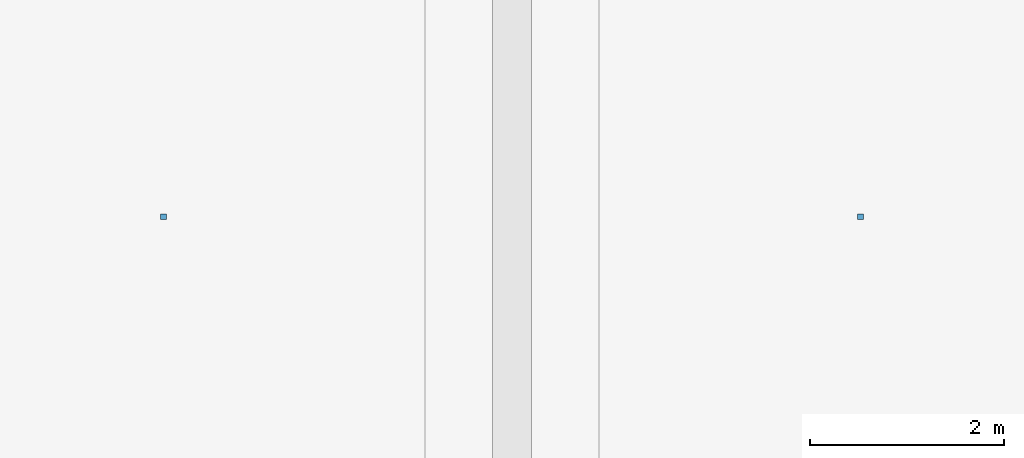
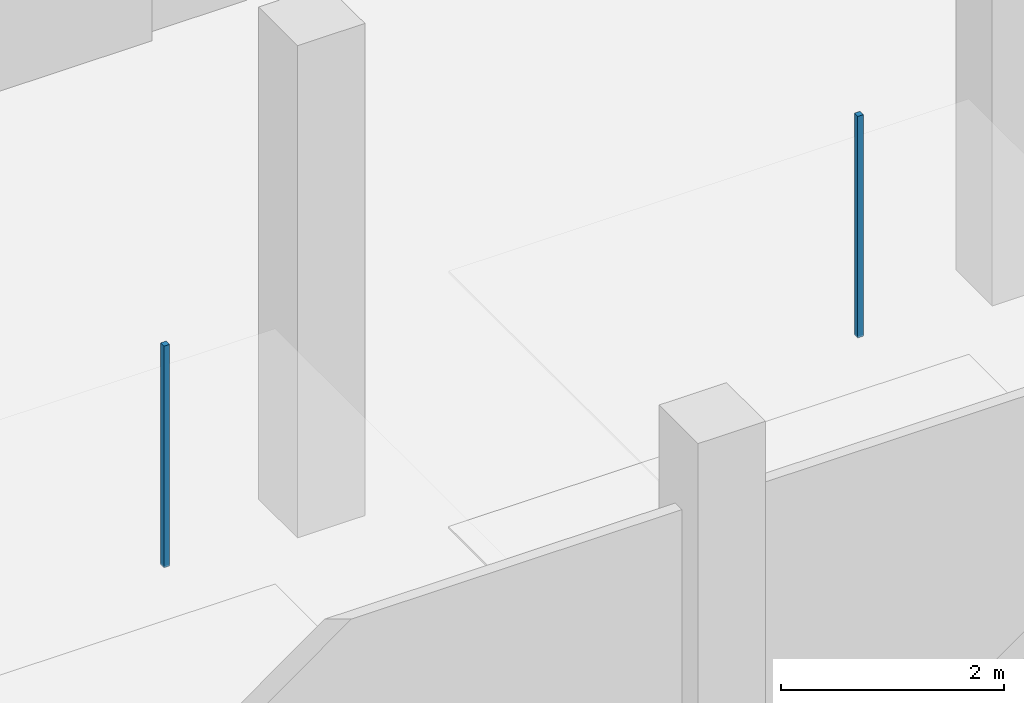
# One storey, part 76 of 90: 2 discrete accessories.
"""IFC4 building model written with IfcOpenShell, lengths in metres."""

from ifc_helpers import new_model, si_unit, direction, frame, origin, origin_2d, place, context, subcontext, project, spatial, rectangle, extrude, material, type_object, element, save


model = new_model("IFC4")

# Units and contexts
model_context = context("Model", 3, precision=1e-05, world=origin(), true_north=direction((0.0, 1.0)))
body_context = subcontext(model_context, "Body", "Model", "MODEL_VIEW")
ifc_project = project(units=[si_unit("LENGTHUNIT", "METRE"), si_unit("AREAUNIT", "SQUARE_METRE"), si_unit("VOLUMEUNIT", "CUBIC_METRE"), si_unit("PLANEANGLEUNIT", "RADIAN"), si_unit("MASSUNIT", "GRAM", prefix="KILO")], contexts=[model_context])

# Site, building, storey
site_placement = place(None, origin())
site = spatial("IfcSite", under=ifc_project, at=site_placement, CompositionType="ELEMENT")
building_placement = place(site_placement, origin())
building = spatial("IfcBuilding", under=site, at=building_placement, Name="Kangsadwip Square Police Headquarters", CompositionType="ELEMENT")
storey_placement = place(building_placement, origin())
storey = spatial("IfcBuildingStorey", under=building, at=storey_placement, Name="L00", CompositionType="ELEMENT", Elevation=0.0)

# Discrete accessories
ifc_material = material(Name="Structural steel IS 2062 E350 (Grade 350, 350 MPa)", Category="steel")
discrete_accessory_type = type_object("IfcDiscreteAccessoryType", Name="VeilOutriggerBracket", PredefinedType="BRACKET", material=ifc_material)
for number, where, z_axis, x_axis, name in (
    (1, (25.199951171875, 104.39990234375, 2.81005859375), (0.0, 0.0, 1.0), (1.0, 0.0, 0.0), "Ceiling Suspension Hanger L00-003"),
    (2, (32.39990234375, 104.39990234375, 2.81005859375), (0.0, 0.0, 1.0), (1.0, 0.0, 0.0), "Ceiling Suspension Hanger L00-004"),
):
    element("IfcDiscreteAccessory", number, at=place(storey_placement, frame(where, z_axis=z_axis, x_axis=x_axis)), inside=storey, type_object=discrete_accessory_type, Name=name, PredefinedType="BRACKET", context=body_context, shape_type="SweptSolid", body=[
        extrude(rectangle(XDim=0.06005859375, YDim=0.06005859375, at=origin_2d()), origin(), (0.0, 0.0, 1.0), 2.429931640625),
    ])

save(model, "model.ifc")
